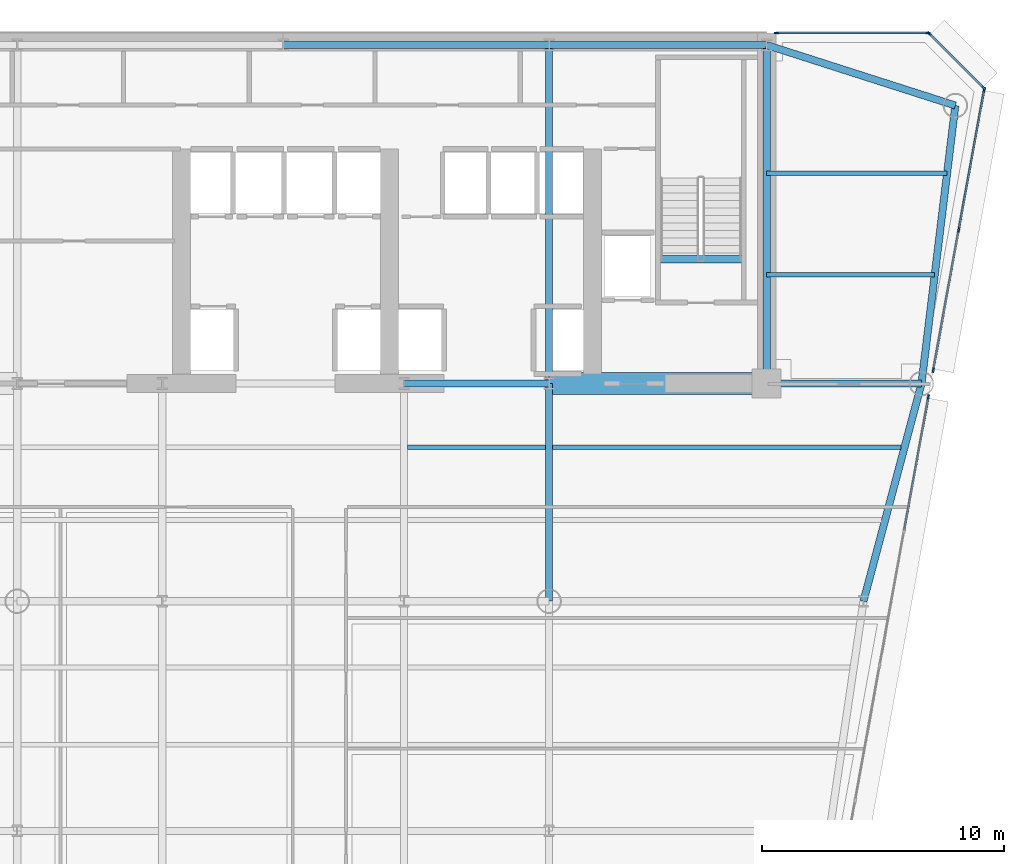
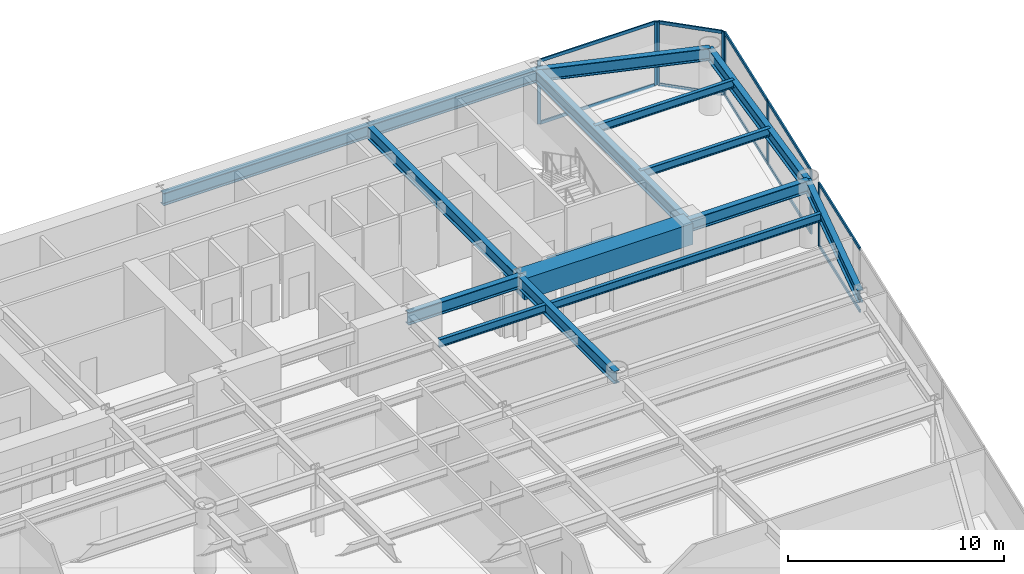
# One storey, part 6 of 14: 18 members, 16 beams, 4 elements without a shape of their own.
"""IFC4 building model written with IfcOpenShell, lengths in metres."""

from ifc_helpers import new_model, si_unit, direction, frame, origin, origin_2d, place, context, subcontext, project, spatial, rectangle, i_section, extrude, source, transform, mapped, material, layer, layer_set, material_profile, profile_set, type_object, element, aggregate, save


model = new_model("IFC4")

# Units and contexts
model_context = context("Model", 3, precision=1e-05, world=origin(), true_north=direction((0.0, 1.0)))
body_context = subcontext(model_context, "Body", "Model", "MODEL_VIEW")
ifc_project = project(units=[si_unit("LENGTHUNIT", "METRE"), si_unit("AREAUNIT", "SQUARE_METRE"), si_unit("VOLUMEUNIT", "CUBIC_METRE"), si_unit("PLANEANGLEUNIT", "RADIAN"), si_unit("MASSUNIT", "GRAM", prefix="KILO")], contexts=[model_context])

# Site, building, storey
site_placement = place(None, origin())
site = spatial("IfcSite", under=ifc_project, at=site_placement, CompositionType="ELEMENT")
building_placement = place(site_placement, origin())
building = spatial("IfcBuilding", under=site, at=building_placement, Name="Vaeldorn Concourse Tower", CompositionType="ELEMENT")
storey_placement = place(building_placement, frame((0.0, 0.0, 141.39990234375)))
storey = spatial("IfcBuildingStorey", under=building, at=storey_placement, Name="L36", CompositionType="ELEMENT", Elevation=141.39990234375)

# Beams
ifc_material_1 = material(Name="Concrete C60/75", Category="concrete")
ifc_material_profile_1 = material_profile(ifc_material_1, rectangle(XDim=0.89990234375, YDim=1.199951171875, at=origin_2d()), Name="RC 900x1200")
ifc_profile_set_1 = profile_set([ifc_material_profile_1], Name="Concrete C60/75")
beam_type_1 = type_object("IfcBeamType", Name="BM-CB-RC900", PredefinedType="BEAM", material=ifc_profile_set_1)
shared_shape_1 = source(origin(), body_context, "Body", "SweptSolid", [
    extrude(rectangle(XDim=0.89990234375, YDim=1.199951171875, at=origin_2d()), origin(), (0.0, 0.0, 1.0), 9.0),
])
beam_1_placement = place(storey_placement, frame((45.0, 36.5, 2.97998046875), z_axis=(1.0, 0.0, 0.0), x_axis=(0.0, 1.0, 0.0)))
element("IfcBeam", 1, at=beam_1_placement, inside=storey, type_object=beam_type_1, Name="Core Coupling Beam L36-2", PredefinedType="BEAM", context=body_context, shape_type="MappedRepresentation", body=[
    mapped(shared_shape_1, transform((0.0, 0.0, 0.0), scale=1.0)),
])
ifc_material_2 = material(Name="Steel S355", Category="steel")
ifc_material_profile_2 = material_profile(ifc_material_2, i_section(OverallWidth=0.300048828125, OverallDepth=0.340087890625, WebThickness=0.011962890625, FlangeThickness=0.021484375, FilletRadius=0.027099609375, at=origin_2d()), Name="HEB 340")
ifc_profile_set_2 = profile_set([ifc_material_profile_2], Name="Steel S355")
beam_type_2 = type_object("IfcBeamType", Name="BM-ST-TRIM", PredefinedType="BEAM", material=ifc_profile_set_2)
shared_shape_2 = source(origin(), body_context, "Body", "SweptSolid", [
    extrude(i_section(OverallWidth=0.300048828125, OverallDepth=0.340087890625, WebThickness=0.011962890625, FlangeThickness=0.021484375, FilletRadius=0.027099609375, at=origin_2d()), origin(), (0.0, 0.0, 1.0), 3.590087890625),
])
beam_2_placement = place(storey_placement, frame((49.47998046875, 41.639892578125, -0.389892578125), z_axis=(1.0, 0.0, 0.0), x_axis=(0.0, 1.0, 0.0)))
element("IfcBeam", 2, at=beam_2_placement, inside=storey, type_object=beam_type_2, Name="Stair Landing Trimmer Beam ST-2 L36", PredefinedType="BEAM", context=body_context, shape_type="MappedRepresentation", body=[
    mapped(shared_shape_2, transform((0.0, 0.0, 0.0), scale=1.0)),
])
ifc_material_profile_3 = material_profile(ifc_material_2, i_section(OverallWidth=0.300048828125, OverallDepth=0.699951171875, WebThickness=0.01708984375, FlangeThickness=0.031982421875, FilletRadius=0.027099609375, at=origin_2d()), Name="HEB 700")
ifc_profile_set_3 = profile_set([ifc_material_profile_3], Name="Steel S355")
beam_type_3 = type_object("IfcBeamType", Name="BM-PG-HEB700", PredefinedType="BEAM", material=ifc_profile_set_3)
shared_shape_3 = source(origin(), body_context, "Body", "SweptSolid", [
    extrude(i_section(OverallWidth=0.300048828125, OverallDepth=0.699951171875, WebThickness=0.01708984375, FlangeThickness=0.031982421875, FilletRadius=0.027099609375, at=origin_2d()), origin(), (0.0, 0.0, 1.0), 6.0),
])
beam_3_placement = place(storey_placement, frame((39.0, 36.5, 3.22998046875), z_axis=(1.0, 0.0, 0.0), x_axis=(0.0, 1.0, 0.0)))
element("IfcBeam", 3, at=beam_3_placement, inside=storey, type_object=beam_type_3, Name="Beam BM-L36-C-FC4-C-FC5", PredefinedType="BEAM", context=body_context, shape_type="MappedRepresentation", body=[
    mapped(shared_shape_3, transform((0.0, 0.0, 0.0), scale=1.0)),
])
shared_shape_4 = source(origin(), body_context, "Body", "SweptSolid", [
    extrude(i_section(OverallWidth=0.300048828125, OverallDepth=0.699951171875, WebThickness=0.01708984375, FlangeThickness=0.031982421875, FilletRadius=0.027099609375, at=origin_2d()), origin(), (0.0, 0.0, 1.0), 9.0),
])
for number, where, z_axis, x_axis, name in (
    (4, (45.0, 50.5, 3.22998046875), (1.0, 0.0, 0.0), (0.0, 1.0, 0.0), "Beam BM-L36-C-HC4-C-HC5"),
    (5, (45.0, 27.5, 3.22998046875), (0.0, 1.0, 0.0), (-1.0, 0.0, 0.0), "Beam BM-L36-C-TW4-C-FC5"),
):
    element("IfcBeam", number, at=place(storey_placement, frame(where, z_axis=z_axis, x_axis=x_axis)), inside=storey, type_object=beam_type_3, Name=name, PredefinedType="BEAM", context=body_context, shape_type="MappedRepresentation", body=[
        mapped(shared_shape_4, transform((0.0, 0.0, 0.0), scale=1.0)),
    ])
shared_shape_5 = source(origin(), body_context, "Body", "SweptSolid", [
    extrude(i_section(OverallWidth=0.300048828125, OverallDepth=0.699951171875, WebThickness=0.01708984375, FlangeThickness=0.031982421875, FilletRadius=0.027099609375, at=origin_2d()), origin(), (0.0, 0.0, 1.0), 11.0),
])
beam_4_placement = place(storey_placement, frame((34.0, 50.5, 3.22998046875), z_axis=(1.0, 0.0, 0.0), x_axis=(0.0, 1.0, 0.0)))
element("IfcBeam", 6, at=beam_4_placement, inside=storey, type_object=beam_type_3, Name="Beam BM-L36-C-HC3-C-HC4", PredefinedType="BEAM", context=body_context, shape_type="MappedRepresentation", body=[
    mapped(shared_shape_5, transform((0.0, 0.0, 0.0), scale=1.0)),
])
shared_shape_6 = source(origin(), body_context, "Body", "SweptSolid", [
    extrude(i_section(OverallWidth=0.300048828125, OverallDepth=0.699951171875, WebThickness=0.01708984375, FlangeThickness=0.031982421875, FilletRadius=0.027099609375, at=origin_2d()), origin(), (0.0, 0.0, 1.0), 14.0),
])
for number, where, z_axis, x_axis, name in (
    (7, (45.0, 36.5, 3.22998046875), (0.0, 1.0, 0.0), (-1.0, 0.0, 0.0), "Beam BM-L36-C-FC5-C-HC4"),
    (8, (54.0, 36.5, 3.22998046875), (0.0, 1.0, 0.0), (-1.0, 0.0, 0.0), "Beam BM-L36-C-FC6-C-HC5"),
):
    element("IfcBeam", number, at=place(storey_placement, frame(where, z_axis=z_axis, x_axis=x_axis)), inside=storey, type_object=beam_type_3, Name=name, PredefinedType="BEAM", context=body_context, shape_type="MappedRepresentation", body=[
        mapped(shared_shape_6, transform((0.0, 0.0, 0.0), scale=1.0)),
    ])
shared_shape_7 = source(origin(), body_context, "Body", "SweptSolid", [
    extrude(i_section(OverallWidth=0.300048828125, OverallDepth=0.699951171875, WebThickness=0.01708984375, FlangeThickness=0.031982421875, FilletRadius=0.027099609375, at=origin_2d()), origin(), (0.0, 0.0, 1.0), 8.19091796875),
])
beam_5_placement = place(storey_placement, frame((54.0, 50.5, 3.22998046875), z_axis=(0.952282843383, -0.305216949396, 0.0), x_axis=(0.305216949396, 0.952282843383, 0.0)))
element("IfcBeam", 9, at=beam_5_placement, inside=storey, type_object=beam_type_3, Name="Beam BM-L36-C-HC5-C-NE1", PredefinedType="BEAM", context=body_context, shape_type="MappedRepresentation", body=[
    mapped(shared_shape_7, transform((0.0, 0.0, 0.0), scale=1.0)),
])
shared_shape_8 = source(origin(), body_context, "Body", "SweptSolid", [
    extrude(i_section(OverallWidth=0.300048828125, OverallDepth=0.699951171875, WebThickness=0.01708984375, FlangeThickness=0.031982421875, FilletRadius=0.027099609375, at=origin_2d()), origin(), (0.0, 0.0, 1.0), 11.5849609375),
])
beam_6_placement = place(storey_placement, frame((61.800048828125, 48.0, 3.22998046875), z_axis=(-0.120859382899, -0.992669637677, 0.0), x_axis=(0.992669637677, -0.120859382899, 0.0)))
element("IfcBeam", 10, at=beam_6_placement, inside=storey, type_object=beam_type_3, Name="Beam BM-L36-C-NE1-C-NE2", PredefinedType="BEAM", context=body_context, shape_type="MappedRepresentation", body=[
    mapped(shared_shape_8, transform((0.0, 0.0, 0.0), scale=1.0)),
])
shared_shape_9 = source(origin(), body_context, "Body", "SweptSolid", [
    extrude(i_section(OverallWidth=0.300048828125, OverallDepth=0.699951171875, WebThickness=0.01708984375, FlangeThickness=0.031982421875, FilletRadius=0.027099609375, at=origin_2d()), origin(), (0.0, 0.0, 1.0), 6.39990234375),
])
beam_7_placement = place(storey_placement, frame((54.0, 36.5, 3.22998046875), z_axis=(1.0, 0.0, 0.0), x_axis=(0.0, 1.0, 0.0)))
element("IfcBeam", 11, at=beam_7_placement, inside=storey, type_object=beam_type_3, Name="Beam BM-L36-C-FC6-C-NE2", PredefinedType="BEAM", context=body_context, shape_type="MappedRepresentation", body=[
    mapped(shared_shape_9, transform((0.0, 0.0, 0.0), scale=1.0)),
])
shared_shape_10 = source(origin(), body_context, "Body", "SweptSolid", [
    extrude(i_section(OverallWidth=0.300048828125, OverallDepth=0.699951171875, WebThickness=0.01708984375, FlangeThickness=0.031982421875, FilletRadius=0.027099609375, at=origin_2d()), origin(), (0.0, 0.0, 1.0), 9.314453125),
])
beam_8_placement = place(storey_placement, frame((60.39990234375, 36.5, 3.22998046875), z_axis=(-0.257652862255, -0.966237549763, 0.0), x_axis=(0.966237549763, -0.257652862255, 0.0)))
element("IfcBeam", 12, at=beam_8_placement, inside=storey, type_object=beam_type_3, Name="Beam BM-L36-C-NE2-C-FLE1", PredefinedType="BEAM", context=body_context, shape_type="MappedRepresentation", body=[
    mapped(shared_shape_10, transform((0.0, 0.0, 0.0), scale=1.0)),
])
ifc_material_profile_4 = material_profile(ifc_material_2, i_section(OverallWidth=0.18994140625, OverallDepth=0.449951171875, WebThickness=0.009521484375, FlangeThickness=0.0146484375, FilletRadius=0.02099609375, at=origin_2d()), Name="IPE 450")
ifc_profile_set_4 = profile_set([ifc_material_profile_4], Name="Steel S355")
beam_type_4 = type_object("IfcBeamType", Name="BM-JS-IPE450", PredefinedType="JOIST", material=ifc_profile_set_4)
shared_shape_11 = source(origin(), body_context, "Body", "SweptSolid", [
    extrude(i_section(OverallWidth=0.18994140625, OverallDepth=0.449951171875, WebThickness=0.009521484375, FlangeThickness=0.0146484375, FilletRadius=0.02099609375, at=origin_2d()), origin(), (0.0, 0.0, 1.0), 5.7001953125),
])
beam_9_placement = place(storey_placement, frame((39.14990234375, 33.860107421875, 3.35498046875), z_axis=(1.0, 0.0, 0.0), x_axis=(0.0, 1.0, 0.0)))
element("IfcBeam", 13, at=beam_9_placement, inside=storey, type_object=beam_type_4, Name="Beam JS-L36-E2-338", PredefinedType="JOIST", context=body_context, shape_type="MappedRepresentation", body=[
    mapped(shared_shape_11, transform((0.0, 0.0, 0.0), scale=1.0)),
])
shared_shape_12 = source(origin(), body_context, "Body", "SweptSolid", [
    extrude(i_section(OverallWidth=0.18994140625, OverallDepth=0.449951171875, WebThickness=0.009521484375, FlangeThickness=0.0146484375, FilletRadius=0.02099609375, at=origin_2d()), origin(), (0.0, 0.0, 1.0), 6.94775390625),
])
beam_10_placement = place(storey_placement, frame((54.0, 41.0, 3.35498046875), z_axis=(1.0, 0.0, 0.0), x_axis=(0.0, 1.0, 0.0)))
element("IfcBeam", 14, at=beam_10_placement, inside=storey, type_object=beam_type_4, Name="Beam JS-L36-NE-410", PredefinedType="JOIST", context=body_context, shape_type="MappedRepresentation", body=[
    mapped(shared_shape_12, transform((0.0, 0.0, 0.0), scale=1.0)),
])
shared_shape_13 = source(origin(), body_context, "Body", "SweptSolid", [
    extrude(i_section(OverallWidth=0.18994140625, OverallDepth=0.449951171875, WebThickness=0.009521484375, FlangeThickness=0.0146484375, FilletRadius=0.02099609375, at=origin_2d()), origin(), (0.0, 0.0, 1.0), 7.458984375),
])
beam_11_placement = place(storey_placement, frame((54.0, 45.199951171875, 3.35498046875), z_axis=(1.0, 0.0, 0.0), x_axis=(0.0, 1.0, 0.0)))
element("IfcBeam", 15, at=beam_11_placement, inside=storey, type_object=beam_type_4, Name="Beam JS-L36-NE-452", PredefinedType="JOIST", context=body_context, shape_type="MappedRepresentation", body=[
    mapped(shared_shape_13, transform((0.0, 0.0, 0.0), scale=1.0)),
])
shared_shape_14 = source(origin(), body_context, "Body", "SweptSolid", [
    extrude(i_section(OverallWidth=0.18994140625, OverallDepth=0.449951171875, WebThickness=0.009521484375, FlangeThickness=0.0146484375, FilletRadius=0.02099609375, at=origin_2d()), origin(), (0.0, 0.0, 1.0), 14.39599609375),
])
beam_12_placement = place(storey_placement, frame((45.14990234375, 33.860107421875, 3.35498046875), z_axis=(1.0, 0.0, 0.0), x_axis=(0.0, 1.0, 0.0)))
element("IfcBeam", 16, at=beam_12_placement, inside=storey, type_object=beam_type_4, Name="Beam JS-L36-E1-338", PredefinedType="JOIST", context=body_context, shape_type="MappedRepresentation", body=[
    mapped(shared_shape_14, transform((0.0, 0.0, 0.0), scale=1.0)),
])

# Curtain wall, members
ifc_material_3 = material(Name="Anodised Bronze Aluminium", Category="aluminium")
ifc_layer = layer(ifc_material_3, 0.199951171875)
ifc_layer_set = layer_set([ifc_layer], Name="Anodised Bronze Aluminium")
curtain_wall_type = type_object("IfcCurtainWallType", Name="CW-SYS-02", PredefinedType="NOTDEFINED", material=ifc_layer_set)
curtain_wall_1_placement = place(storey_placement, origin())
curtain_wall_1 = element("IfcCurtainWall", 17, at=curtain_wall_1_placement, inside=storey, type_object=curtain_wall_type, Name="Unitised Curtain Wall CW-L36-E08-1", PredefinedType="NOTDEFINED")
ifc_material_profile_5 = material_profile(ifc_material_3, rectangle(XDim=0.074951171875, YDim=0.179931640625, at=origin_2d()), Name="CWT 75x180")
ifc_profile_set_5 = profile_set([ifc_material_profile_5], Name="Anodised Bronze Aluminium")
member_type_1 = type_object("IfcMemberType", Name="CWT-BRONZE-180", PredefinedType="USERDEFINED", material=ifc_profile_set_5)
shared_shape_15 = source(origin(), body_context, "Body", "SweptSolid", [
    extrude(rectangle(XDim=0.074951171875, YDim=0.179931640625, at=origin_2d()), origin(), (0.0, 0.0, 1.0), 3.10302734375),
])
member_1_placement = place(storey_placement, frame((62.947021484375, 48.7529296875, 0.03759765625), z_axis=(-0.707106781187, 0.707106781187, 0.0), x_axis=(-0.707106781187, -0.707106781187, 0.0)))
member_1 = element("IfcMember", 18, at=member_1_placement, type_object=member_type_1, Name="CW-02 transom 1.1", ObjectType="TRANSOM", PredefinedType="USERDEFINED", context=body_context, shape_type="MappedRepresentation", body=[
    mapped(shared_shape_15, transform((0.0, 0.0, 0.0), scale=1.0)),
])
member_2_placement = place(storey_placement, frame((62.947021484375, 48.7529296875, 3.54248046875), z_axis=(-0.707106781187, 0.707106781187, 0.0), x_axis=(-0.707106781187, -0.707106781187, 0.0)))
member_2 = element("IfcMember", 19, at=member_2_placement, type_object=member_type_1, Name="CW-02 transom 1.2", ObjectType="TRANSOM", PredefinedType="USERDEFINED", context=body_context, shape_type="MappedRepresentation", body=[
    mapped(shared_shape_15, transform((0.0, 0.0, 0.0), scale=1.0)),
])

# Curtain wall, member
curtain_wall_2_placement = place(storey_placement, origin())
curtain_wall_2 = element("IfcCurtainWall", 20, at=curtain_wall_2_placement, inside=storey, type_object=curtain_wall_type, Name="Unitised Curtain Wall CW-L36-E07-1", PredefinedType="NOTDEFINED")
ifc_material_profile_6 = material_profile(ifc_material_3, rectangle(XDim=0.074951171875, YDim=0.18994140625, at=origin_2d()), Name="CWM 75x190")
ifc_profile_set_6 = profile_set([ifc_material_profile_6], Name="Anodised Bronze Aluminium")
member_type_2 = type_object("IfcMemberType", Name="CWM-BRONZE-190", PredefinedType="MULLION", material=ifc_profile_set_6)
shared_shape_16 = source(origin(), body_context, "Body", "SweptSolid", [
    extrude(rectangle(XDim=0.074951171875, YDim=0.18994140625, at=origin_2d()), origin(), (0.0, 0.0, 1.0), 3.580078125),
])
member_3_placement = place(storey_placement, frame((60.685791015625, 35.945068359375, 0.0), z_axis=(0.0, 0.0, 1.0), x_axis=(-0.983935230381, 0.17852580322, 0.0)))
member_3 = element("IfcMember", 21, at=member_3_placement, type_object=member_type_2, Name="CW-02 mullion 7", PredefinedType="MULLION", context=body_context, shape_type="MappedRepresentation", body=[
    mapped(shared_shape_16, transform((0.0, 0.0, 0.0), scale=1.0)),
])

# Curtain wall, members
curtain_wall_3_placement = place(storey_placement, origin())
curtain_wall_3 = element("IfcCurtainWall", 22, at=curtain_wall_3_placement, inside=storey, type_object=curtain_wall_type, Name="Unitised Curtain Wall CW-L36-E07-2", PredefinedType="NOTDEFINED")
member_4_placement = place(storey_placement, frame((60.88720703125, 37.054931640625, 0.0), z_axis=(0.0, 0.0, 1.0), x_axis=(-0.983935069773, 0.178526688398, 0.0)))
member_4 = element("IfcMember", 23, at=member_4_placement, type_object=member_type_2, Name="CW-02 mullion 1", PredefinedType="MULLION", context=body_context, shape_type="MappedRepresentation", body=[
    mapped(shared_shape_16, transform((0.0, 0.0, 0.0), scale=1.0)),
])
member_5_placement = place(storey_placement, frame((61.940185546875, 42.85888671875, 0.0), z_axis=(0.0, 0.0, 1.0), x_axis=(-0.983935069773, 0.178526688398, 0.0)))
member_5 = element("IfcMember", 24, at=member_5_placement, type_object=member_type_2, Name="CW-02 mullion 2", PredefinedType="MULLION", context=body_context, shape_type="MappedRepresentation", body=[
    mapped(shared_shape_16, transform((0.0, 0.0, 0.0), scale=1.0)),
])
member_6_placement = place(storey_placement, frame((62.993408203125, 48.6630859375, 0.0), z_axis=(0.0, 0.0, 1.0), x_axis=(-0.983935069773, 0.178526688398, 0.0)))
member_6 = element("IfcMember", 25, at=member_6_placement, type_object=member_type_2, Name="CW-02 mullion 3", PredefinedType="MULLION", context=body_context, shape_type="MappedRepresentation", body=[
    mapped(shared_shape_16, transform((0.0, 0.0, 0.0), scale=1.0)),
])

# Member
member_7_placement = place(storey_placement, frame((62.973388671875, 48.7265625, 0.0), z_axis=(0.0, 0.0, 1.0), x_axis=(-0.707106781187, -0.707106781187, 0.0)))
member_7 = element("IfcMember", 26, at=member_7_placement, type_object=member_type_2, Name="CW-02 mullion 1", PredefinedType="MULLION", context=body_context, shape_type="MappedRepresentation", body=[
    mapped(shared_shape_16, transform((0.0, 0.0, 0.0), scale=1.0)),
])

member_8_placement = place(storey_placement, frame((60.7265625, 50.973388671875, 0.0), z_axis=(0.0, 0.0, 1.0), x_axis=(-0.707106781187, -0.707106781187, 0.0)))
member_8 = element("IfcMember", 27, at=member_8_placement, type_object=member_type_2, Name="CW-02 mullion 2", PredefinedType="MULLION", context=body_context, shape_type="MappedRepresentation", body=[
    mapped(shared_shape_16, transform((0.0, 0.0, 0.0), scale=1.0)),
])

aggregate(curtain_wall_1, [member_7, member_8, member_1, member_2])

# Curtain wall, members
curtain_wall_4_placement = place(storey_placement, origin())
curtain_wall_4 = element("IfcCurtainWall", 28, at=curtain_wall_4_placement, inside=storey, type_object=curtain_wall_type, Name="Unitised Curtain Wall CW-L36-E09-1", PredefinedType="NOTDEFINED")
member_9_placement = place(storey_placement, frame((60.66259765625, 51.0, 0.0), z_axis=(0.0, 0.0, 1.0), x_axis=(0.0, -1.0, 0.0)))
member_9 = element("IfcMember", 29, at=member_9_placement, type_object=member_type_2, Name="CW-02 mullion 1", PredefinedType="MULLION", context=body_context, shape_type="MappedRepresentation", body=[
    mapped(shared_shape_16, transform((0.0, 0.0, 0.0), scale=1.0)),
])
member_10_placement = place(storey_placement, frame((54.407470703125, 51.0, 0.0), z_axis=(0.0, 0.0, 1.0), x_axis=(0.0, -1.0, 0.0)))
member_10 = element("IfcMember", 30, at=member_10_placement, type_object=member_type_2, Name="CW-02 mullion 2", PredefinedType="MULLION", context=body_context, shape_type="MappedRepresentation", body=[
    mapped(shared_shape_16, transform((0.0, 0.0, 0.0), scale=1.0)),
])
shared_shape_17 = source(origin(), body_context, "Body", "SweptSolid", [
    extrude(rectangle(XDim=0.074951171875, YDim=0.179931640625, at=origin_2d()), origin(), (0.0, 0.0, 1.0), 6.179931640625),
])
member_11_placement = place(storey_placement, frame((60.625, 51.0, 0.03759765625), z_axis=(-1.0, 0.0, 0.0), x_axis=(0.0, -1.0, 0.0)))
member_11 = element("IfcMember", 31, at=member_11_placement, type_object=member_type_1, Name="CW-02 transom 1.1", ObjectType="TRANSOM", PredefinedType="USERDEFINED", context=body_context, shape_type="MappedRepresentation", body=[
    mapped(shared_shape_17, transform((0.0, 0.0, 0.0), scale=1.0)),
])
member_12_placement = place(storey_placement, frame((60.625, 51.0, 3.54248046875), z_axis=(-1.0, 0.0, 0.0), x_axis=(0.0, -1.0, 0.0)))
member_12 = element("IfcMember", 32, at=member_12_placement, type_object=member_type_1, Name="CW-02 transom 1.2", ObjectType="TRANSOM", PredefinedType="USERDEFINED", context=body_context, shape_type="MappedRepresentation", body=[
    mapped(shared_shape_17, transform((0.0, 0.0, 0.0), scale=1.0)),
])
aggregate(curtain_wall_4, [member_9, member_10, member_11, member_12])

# Member
shared_shape_18 = source(origin(), body_context, "Body", "SweptSolid", [
    extrude(rectangle(XDim=0.074951171875, YDim=0.179931640625, at=origin_2d()), origin(), (0.0, 0.0, 1.0), 5.55224609375),
])
member_13_placement = place(storey_placement, frame((59.687744140625, 30.445068359375, 0.03759765625), z_axis=(0.178521699007, 0.983935975043, 0.0), x_axis=(-0.983935975043, 0.178521699007, 0.0)))
member_13 = element("IfcMember", 33, at=member_13_placement, type_object=member_type_1, Name="CW-02 transom 6.1", ObjectType="TRANSOM", PredefinedType="USERDEFINED", context=body_context, shape_type="MappedRepresentation", body=[
    mapped(shared_shape_18, transform((0.0, 0.0, 0.0), scale=1.0)),
])

member_14_placement = place(storey_placement, frame((59.687744140625, 30.445068359375, 3.54248046875), z_axis=(0.178521699007, 0.983935975043, 0.0), x_axis=(-0.983935975043, 0.178521699007, 0.0)))
member_14 = element("IfcMember", 34, at=member_14_placement, type_object=member_type_1, Name="CW-02 transom 6.2", ObjectType="TRANSOM", PredefinedType="USERDEFINED", context=body_context, shape_type="MappedRepresentation", body=[
    mapped(shared_shape_18, transform((0.0, 0.0, 0.0), scale=1.0)),
])

aggregate(curtain_wall_2, [member_3, member_13, member_14])

shared_shape_19 = source(origin(), body_context, "Body", "SweptSolid", [
    extrude(rectangle(XDim=0.074951171875, YDim=0.179931640625, at=origin_2d()), origin(), (0.0, 0.0, 1.0), 5.82373046875),
])
member_15_placement = place(storey_placement, frame((60.893798828125, 37.091796875, 0.03759765625), z_axis=(0.178542344313, 0.983932229011, 0.0), x_axis=(-0.983932229011, 0.178542344313, 0.0)))
member_15 = element("IfcMember", 35, at=member_15_placement, type_object=member_type_1, Name="CW-02 transom 1.1", ObjectType="TRANSOM", PredefinedType="USERDEFINED", context=body_context, shape_type="MappedRepresentation", body=[
    mapped(shared_shape_19, transform((0.0, 0.0, 0.0), scale=1.0)),
])

member_16_placement = place(storey_placement, frame((60.893798828125, 37.091796875, 3.54248046875), z_axis=(0.178542344313, 0.983932229011, 0.0), x_axis=(-0.983932229011, 0.178542344313, 0.0)))
member_16 = element("IfcMember", 36, at=member_16_placement, type_object=member_type_1, Name="CW-02 transom 1.2", ObjectType="TRANSOM", PredefinedType="USERDEFINED", context=body_context, shape_type="MappedRepresentation", body=[
    mapped(shared_shape_19, transform((0.0, 0.0, 0.0), scale=1.0)),
])

member_17_placement = place(storey_placement, frame((61.94677734375, 42.89599609375, 0.03759765625), z_axis=(0.178542344313, 0.983932229011, 0.0), x_axis=(-0.983932229011, 0.178542344313, 0.0)))
member_17 = element("IfcMember", 37, at=member_17_placement, type_object=member_type_1, Name="CW-02 transom 2.1", ObjectType="TRANSOM", PredefinedType="USERDEFINED", context=body_context, shape_type="MappedRepresentation", body=[
    mapped(shared_shape_19, transform((0.0, 0.0, 0.0), scale=1.0)),
])

member_18_placement = place(storey_placement, frame((61.94677734375, 42.89599609375, 3.54248046875), z_axis=(0.178542344313, 0.983932229011, 0.0), x_axis=(-0.983932229011, 0.178542344313, 0.0)))
member_18 = element("IfcMember", 38, at=member_18_placement, type_object=member_type_1, Name="CW-02 transom 2.2", ObjectType="TRANSOM", PredefinedType="USERDEFINED", context=body_context, shape_type="MappedRepresentation", body=[
    mapped(shared_shape_19, transform((0.0, 0.0, 0.0), scale=1.0)),
])

aggregate(curtain_wall_3, [member_4, member_5, member_6, member_15, member_16, member_17, member_18])

save(model, "model.ifc")
